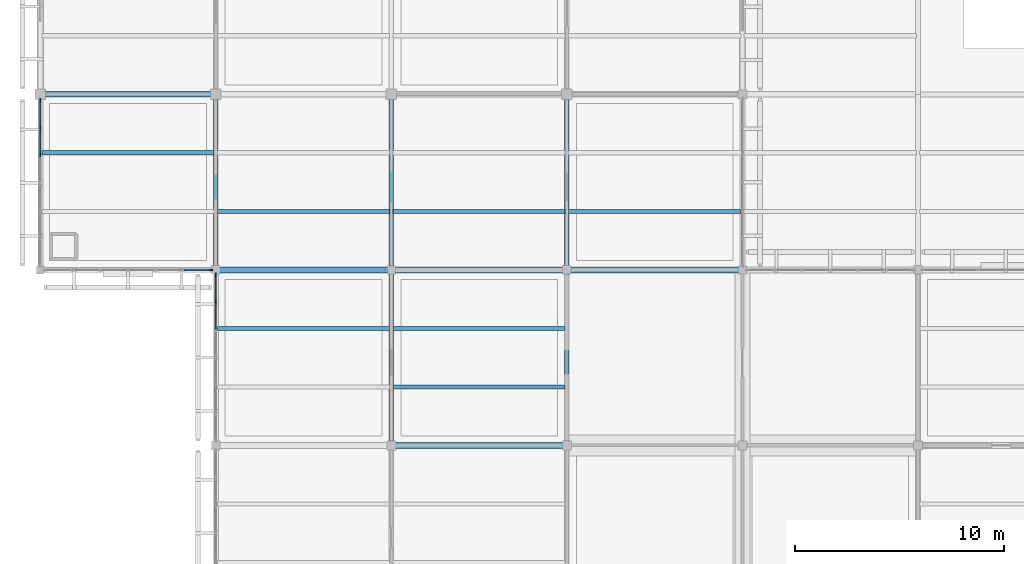
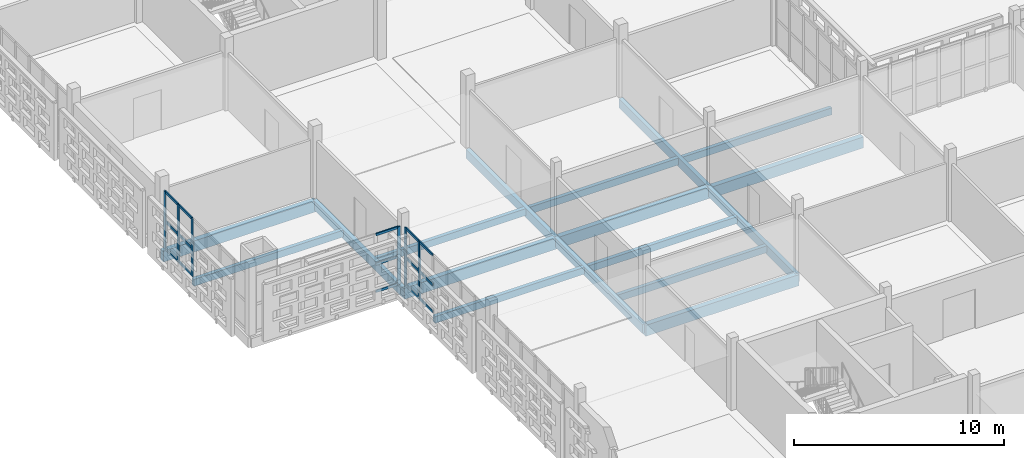
# One storey, part 24 of 166: 21 members, 17 beams, 3 elements without a shape of their own.
"""IFC4 building model written with IfcOpenShell, lengths in metres."""

from ifc_helpers import new_model, si_unit, direction, frame, origin, origin_2d, place, context, subcontext, project, spatial, rectangle, extrude, material, layer, layer_set, material_profile, profile_set, type_object, element, aggregate, save


model = new_model("IFC4")

# Units and contexts
model_context = context("Model", 3, precision=1e-05, world=origin(), true_north=direction((0.0, 1.0)))
body_context = subcontext(model_context, "Body", "Model", "MODEL_VIEW")
ifc_project = project(units=[si_unit("LENGTHUNIT", "METRE"), si_unit("AREAUNIT", "SQUARE_METRE"), si_unit("VOLUMEUNIT", "CUBIC_METRE"), si_unit("PLANEANGLEUNIT", "RADIAN"), si_unit("MASSUNIT", "GRAM", prefix="KILO")], contexts=[model_context])

# Site, building, storey
site_placement = place(None, origin())
site = spatial("IfcSite", under=ifc_project, at=site_placement, CompositionType="ELEMENT")
building_placement = place(site_placement, origin())
building = spatial("IfcBuilding", under=site, at=building_placement, Name="Varnapada Polytechnic", CompositionType="ELEMENT")
storey_placement = place(building_placement, frame((0.0, 0.0, 9.60009765625)))
storey = spatial("IfcBuildingStorey", under=building, at=storey_placement, Name="L02", CompositionType="ELEMENT", Elevation=9.60009765625)

# Beams
ifc_material_1 = material(Name="Glulam GL32h", Category="wood")
ifc_material_profile_1 = material_profile(ifc_material_1, rectangle(XDim=0.280029296875, YDim=0.639892578125, at=origin_2d()), Name="GL 280x640")
ifc_profile_set_1 = profile_set([ifc_material_profile_1], Name="Glulam GL32h")
beam_type_1 = type_object("IfcBeamType", Name="Laboratory primary glulam girder GG-02 (GL 280x640)", PredefinedType="BEAM", material=ifc_profile_set_1)
beam_1_placement = place(storey_placement, frame((0.0, 50.39990234375, -0.56005859375), z_axis=(1.0, 0.0, 0.0), x_axis=(0.0, 1.0, 0.0)))
element("IfcBeam", 1, at=beam_1_placement, inside=storey, type_object=beam_type_1, Name="L02 beam X 1-2 at Y7", PredefinedType="BEAM", context=body_context, shape_type="SweptSolid", body=[
    extrude(rectangle(XDim=0.280029296875, YDim=0.639892578125, at=origin_2d()), origin(), (0.0, 0.0, 1.0), 8.39990234375),
])
beam_2_placement = place(storey_placement, frame((8.39990234375, 42.0, -0.56005859375), z_axis=(1.0, 0.0, 0.0), x_axis=(0.0, 1.0, 0.0)))
element("IfcBeam", 2, at=beam_2_placement, inside=storey, type_object=beam_type_1, Name="L02 beam X 2-3 at Y6", PredefinedType="BEAM", context=body_context, shape_type="SweptSolid", body=[
    extrude(rectangle(XDim=0.280029296875, YDim=0.639892578125, at=origin_2d()), origin(), (0.0, 0.0, 1.0), 8.400146484375),
])
for number, where, z_axis, x_axis, name in (
    (3, (16.800048828125, 33.60009765625, -0.56005859375), (1.0, 0.0, 0.0), (0.0, 1.0, 0.0), "L02 beam X 3-4 at Y5"),
    (4, (16.800048828125, 42.0, -0.56005859375), (1.0, 0.0, 0.0), (0.0, 1.0, 0.0), "L02 beam X 3-4 at Y6"),
):
    element("IfcBeam", number, at=place(storey_placement, frame(where, z_axis=z_axis, x_axis=x_axis)), inside=storey, type_object=beam_type_1, Name=name, PredefinedType="BEAM", context=body_context, shape_type="SweptSolid", body=[
        extrude(rectangle(XDim=0.280029296875, YDim=0.639892578125, at=origin_2d()), origin(), (0.0, 0.0, 1.0), 8.39990234375),
    ])
beam_3_placement = place(storey_placement, frame((25.199951171875, 42.0, -0.590087890625), z_axis=(1.0, 0.0, 0.0), x_axis=(0.0, 1.0, 0.0)))
element("IfcBeam", 5, at=beam_3_placement, inside=storey, type_object=beam_type_1, Name="L02 beam X 4-5 at Y6", PredefinedType="BEAM", context=body_context, shape_type="SweptSolid", body=[
    extrude(rectangle(XDim=0.280029296875, YDim=0.639892578125, at=origin_2d()), origin(), (0.0, 0.0, 1.0), 8.400146484375),
])
ifc_material_profile_2 = material_profile(ifc_material_1, rectangle(XDim=0.219970703125, YDim=0.52001953125, at=origin_2d()), Name="GL 220x520")
ifc_profile_set_2 = profile_set([ifc_material_profile_2], Name="Glulam GL32h")
beam_type_2 = type_object("IfcBeamType", Name="Laboratory transverse glulam beam GB-12 (GL 220x520)", PredefinedType="BEAM", material=ifc_profile_set_2)
for number, where, z_axis, x_axis, name in (
    (6, (8.39990234375, 42.0, -0.5), (0.0, 1.0, 0.0), (-1.0, 0.0, 0.0), "L02 beam Y 6-7 at X2"),
    (7, (16.800048828125, 33.60009765625, -0.5), (0.0, 1.0, 0.0), (-1.0, 0.0, 0.0), "L02 beam Y 5-6 at X3"),
    (8, (16.800048828125, 42.0, -0.5), (0.0, 1.0, 0.0), (-1.0, 0.0, 0.0), "L02 beam Y 6-7 at X3"),
    (9, (25.199951171875, 33.60009765625, -0.5), (0.0, 1.0, 0.0), (-1.0, 0.0, 0.0), "L02 beam Y 5-6 at X4"),
    (10, (25.199951171875, 42.0, -0.5), (0.0, 1.0, 0.0), (-1.0, 0.0, 0.0), "L02 beam Y 6-7 at X4"),
):
    element("IfcBeam", number, at=place(storey_placement, frame(where, z_axis=z_axis, x_axis=x_axis)), inside=storey, type_object=beam_type_2, Name=name, PredefinedType="BEAM", context=body_context, shape_type="SweptSolid", body=[
        extrude(rectangle(XDim=0.219970703125, YDim=0.52001953125, at=origin_2d()), origin(), (0.0, 0.0, 1.0), 8.39990234375),
    ])
ifc_material_profile_3 = material_profile(ifc_material_1, rectangle(XDim=0.199951171875, YDim=0.39990234375, at=origin_2d()), Name="GL 200x400")
ifc_profile_set_3 = profile_set([ifc_material_profile_3], Name="Glulam GL32h")
beam_type_3 = type_object("IfcBeamType", Name="Library/laboratory glulam floor joist GJ-01 (GL 200x400)", PredefinedType="JOIST", material=ifc_profile_set_3)
for number, where, z_axis, x_axis, name in (
    (11, (0.080078125, 47.60009765625, -0.440185546875), (1.0, 0.0, 0.0), (0.0, 1.0, 0.0), "L02 floor joist 1/6.2"),
    (12, (8.47998046875, 39.199951171875, -0.440185546875), (1.0, 0.0, 0.0), (0.0, 1.0, 0.0), "L02 floor joist 2/5.2"),
    (13, (8.47998046875, 44.800048828125, -0.440185546875), (1.0, 0.0, 0.0), (0.0, 1.0, 0.0), "L02 floor joist 2/6.1"),
):
    element("IfcBeam", number, at=place(storey_placement, frame(where, z_axis=z_axis, x_axis=x_axis)), inside=storey, type_object=beam_type_3, Name=name, PredefinedType="JOIST", context=body_context, shape_type="SweptSolid", body=[
        extrude(rectangle(XDim=0.199951171875, YDim=0.39990234375, at=origin_2d()), origin(), (0.0, 0.0, 1.0), 8.239990234375),
    ])
for number, where, z_axis, x_axis, name in (
    (14, (16.8798828125, 36.39990234375, -0.440185546875), (1.0, 0.0, 0.0), (0.0, 1.0, 0.0), "L02 floor joist 3/5.1"),
    (15, (16.8798828125, 39.199951171875, -0.440185546875), (1.0, 0.0, 0.0), (0.0, 1.0, 0.0), "L02 floor joist 3/5.2"),
    (16, (16.8798828125, 44.800048828125, -0.440185546875), (1.0, 0.0, 0.0), (0.0, 1.0, 0.0), "L02 floor joist 3/6.1"),
):
    element("IfcBeam", number, at=place(storey_placement, frame(where, z_axis=z_axis, x_axis=x_axis)), inside=storey, type_object=beam_type_3, Name=name, PredefinedType="JOIST", context=body_context, shape_type="SweptSolid", body=[
        extrude(rectangle(XDim=0.199951171875, YDim=0.39990234375, at=origin_2d()), origin(), (0.0, 0.0, 1.0), 8.240234375),
    ])
beam_4_placement = place(storey_placement, frame((25.280029296875, 44.800048828125, -0.47021484375), z_axis=(1.0, 0.0, 0.0), x_axis=(0.0, 1.0, 0.0)))
element("IfcBeam", 17, at=beam_4_placement, inside=storey, type_object=beam_type_3, Name="L02 floor joist 4/6.1", PredefinedType="JOIST", context=body_context, shape_type="SweptSolid", body=[
    extrude(rectangle(XDim=0.199951171875, YDim=0.39990234375, at=origin_2d()), origin(), (0.0, 0.0, 1.0), 8.239990234375),
])

# Curtain wall, member
ifc_material_2 = material(Name="Double low-E laminated glass", Category="glass")
ifc_layer = layer(ifc_material_2, 0.179931640625)
ifc_layer_set = layer_set([ifc_layer], Name="Double low-E laminated glass")
curtain_wall_type = type_object("IfcCurtainWallType", Name="Curtain Wall CW-03", PredefinedType="NOTDEFINED", material=ifc_layer_set)
curtain_wall_1_placement = place(storey_placement, origin())
curtain_wall_1 = element("IfcCurtainWall", 18, at=curtain_wall_1_placement, inside=storey, type_object=curtain_wall_type, Name="L02 unitised curtain wall CW-03 (128)", PredefinedType="NOTDEFINED")
ifc_material_3 = material(Name="Anodised aluminium", Category="aluminium")
ifc_material_profile_4 = material_profile(ifc_material_3, rectangle(XDim=0.06494140625, YDim=0.179931640625, at=origin_2d()), Name="ALU M65x180")
ifc_profile_set_4 = profile_set([ifc_material_profile_4], Name="Anodised aluminium")
member_type_1 = type_object("IfcMemberType", Name="Mullion M-02", PredefinedType="MULLION", material=ifc_profile_set_4)
member_1_placement = place(storey_placement, frame((8.16748046875, 42.0, 0.0), z_axis=(0.0, 0.0, 1.0), x_axis=(0.0, -1.0, 0.0)))
member_1 = element("IfcMember", 19, at=member_1_placement, type_object=member_type_1, Name="CW-03 mullion 1", PredefinedType="MULLION", context=body_context, shape_type="SweptSolid", body=[
    extrude(rectangle(XDim=0.06494140625, YDim=0.179931640625, at=origin_2d()), origin(), (0.0, 0.0, 1.0), 3.35986328125),
])

# Curtain wall, members
curtain_wall_2_placement = place(storey_placement, origin())
curtain_wall_2 = element("IfcCurtainWall", 20, at=curtain_wall_2_placement, inside=storey, type_object=curtain_wall_type, Name="L02 unitised curtain wall CW-03 (129)", PredefinedType="NOTDEFINED")
member_2_placement = place(storey_placement, frame((0.0, 47.49658203125, 0.0), z_axis=(0.0, 0.0, 1.0), x_axis=(-1.0, 0.0, 0.0)))
member_2 = element("IfcMember", 21, at=member_2_placement, type_object=member_type_1, Name="CW-03 mullion 5", PredefinedType="MULLION", context=body_context, shape_type="SweptSolid", body=[
    extrude(rectangle(XDim=0.06494140625, YDim=0.179931640625, at=origin_2d()), origin(), (0.0, 0.0, 1.0), 3.35986328125),
])
member_3_placement = place(storey_placement, frame((0.0, 48.8232421875, 0.0), z_axis=(0.0, 0.0, 1.0), x_axis=(-1.0, 0.0, 0.0)))
member_3 = element("IfcMember", 22, at=member_3_placement, type_object=member_type_1, Name="CW-03 mullion 6", PredefinedType="MULLION", context=body_context, shape_type="SweptSolid", body=[
    extrude(rectangle(XDim=0.06494140625, YDim=0.179931640625, at=origin_2d()), origin(), (0.0, 0.0, 1.0), 3.35986328125),
])
member_4_placement = place(storey_placement, frame((0.0, 50.117431640625, 0.0), z_axis=(0.0, 0.0, 1.0), x_axis=(-1.0, 0.0, 0.0)))
member_4 = element("IfcMember", 23, at=member_4_placement, type_object=member_type_1, Name="CW-03 mullion 7", PredefinedType="MULLION", context=body_context, shape_type="SweptSolid", body=[
    extrude(rectangle(XDim=0.06494140625, YDim=0.179931640625, at=origin_2d()), origin(), (0.0, 0.0, 1.0), 3.35986328125),
])

curtain_wall_3_placement = place(storey_placement, origin())
curtain_wall_3 = element("IfcCurtainWall", 24, at=curtain_wall_3_placement, inside=storey, type_object=curtain_wall_type, Name="L02 unitised curtain wall CW-03 (140)", PredefinedType="NOTDEFINED")
member_5_placement = place(storey_placement, frame((8.39990234375, 40.46826171875, 0.0), z_axis=(0.0, 0.0, 1.0), x_axis=(-1.0, 0.0, 0.0)))
member_5 = element("IfcMember", 25, at=member_5_placement, type_object=member_type_1, Name="CW-03 mullion 6", PredefinedType="MULLION", context=body_context, shape_type="SweptSolid", body=[
    extrude(rectangle(XDim=0.06494140625, YDim=0.179931640625, at=origin_2d()), origin(), (0.0, 0.0, 1.0), 3.35986328125),
])
member_6_placement = place(storey_placement, frame((8.39990234375, 41.767578125, 0.0), z_axis=(0.0, 0.0, 1.0), x_axis=(-1.0, 0.0, 0.0)))
member_6 = element("IfcMember", 26, at=member_6_placement, type_object=member_type_1, Name="CW-03 mullion 7", PredefinedType="MULLION", context=body_context, shape_type="SweptSolid", body=[
    extrude(rectangle(XDim=0.06494140625, YDim=0.179931640625, at=origin_2d()), origin(), (0.0, 0.0, 1.0), 3.35986328125),
])

# Member
ifc_material_profile_5 = material_profile(ifc_material_3, rectangle(XDim=0.06494140625, YDim=0.139892578125, at=origin_2d()), Name="ALU T65x140")
ifc_profile_set_5 = profile_set([ifc_material_profile_5], Name="Anodised aluminium")
member_type_2 = type_object("IfcMemberType", Name="Transom T-02", PredefinedType="USERDEFINED", material=ifc_profile_set_5)
member_7_placement = place(storey_placement, frame((8.135009765625, 42.0, 0.032470703125), z_axis=(-1.0, 0.0, 0.0), x_axis=(0.0, -1.0, 0.0)))
member_7 = element("IfcMember", 27, at=member_7_placement, type_object=member_type_2, Name="CW-03 transom 1.1", ObjectType="TRANSOM", PredefinedType="USERDEFINED", context=body_context, shape_type="SweptSolid", body=[
    extrude(rectangle(XDim=0.06494140625, YDim=0.139892578125, at=origin_2d()), origin(), (0.0, 0.0, 1.0), 1.237548828125),
])

member_8_placement = place(storey_placement, frame((8.135009765625, 42.0, 1.61279296875), z_axis=(-1.0, 0.0, 0.0), x_axis=(0.0, -1.0, 0.0)))
member_8 = element("IfcMember", 28, at=member_8_placement, type_object=member_type_2, Name="CW-03 transom 1.2", ObjectType="TRANSOM", PredefinedType="USERDEFINED", context=body_context, shape_type="SweptSolid", body=[
    extrude(rectangle(XDim=0.06494140625, YDim=0.139892578125, at=origin_2d()), origin(), (0.0, 0.0, 1.0), 1.237548828125),
])

member_9_placement = place(storey_placement, frame((8.135009765625, 42.0, 3.327392578125), z_axis=(-1.0, 0.0, 0.0), x_axis=(0.0, -1.0, 0.0)))
member_9 = element("IfcMember", 29, at=member_9_placement, type_object=member_type_2, Name="CW-03 transom 1.3", ObjectType="TRANSOM", PredefinedType="USERDEFINED", context=body_context, shape_type="SweptSolid", body=[
    extrude(rectangle(XDim=0.06494140625, YDim=0.139892578125, at=origin_2d()), origin(), (0.0, 0.0, 1.0), 1.237548828125),
])

aggregate(curtain_wall_1, [member_1, member_7, member_8, member_9])

member_10_placement = place(storey_placement, frame((0.0, 47.529052734375, 0.032470703125), z_axis=(0.0, 1.0, 0.0), x_axis=(-1.0, 0.0, 0.0)))
member_10 = element("IfcMember", 30, at=member_10_placement, type_object=member_type_2, Name="CW-03 transom 5.1", ObjectType="TRANSOM", PredefinedType="USERDEFINED", context=body_context, shape_type="SweptSolid", body=[
    extrude(rectangle(XDim=0.06494140625, YDim=0.139892578125, at=origin_2d()), origin(), (0.0, 0.0, 1.0), 1.26171875),
])

member_11_placement = place(storey_placement, frame((0.0, 47.529052734375, 1.61279296875), z_axis=(0.0, 1.0, 0.0), x_axis=(-1.0, 0.0, 0.0)))
member_11 = element("IfcMember", 31, at=member_11_placement, type_object=member_type_2, Name="CW-03 transom 5.2", ObjectType="TRANSOM", PredefinedType="USERDEFINED", context=body_context, shape_type="SweptSolid", body=[
    extrude(rectangle(XDim=0.06494140625, YDim=0.139892578125, at=origin_2d()), origin(), (0.0, 0.0, 1.0), 1.26171875),
])

member_12_placement = place(storey_placement, frame((0.0, 47.529052734375, 3.327392578125), z_axis=(0.0, 1.0, 0.0), x_axis=(-1.0, 0.0, 0.0)))
member_12 = element("IfcMember", 32, at=member_12_placement, type_object=member_type_2, Name="CW-03 transom 5.3", ObjectType="TRANSOM", PredefinedType="USERDEFINED", context=body_context, shape_type="SweptSolid", body=[
    extrude(rectangle(XDim=0.06494140625, YDim=0.139892578125, at=origin_2d()), origin(), (0.0, 0.0, 1.0), 1.26171875),
])

member_13_placement = place(storey_placement, frame((0.0, 48.855712890625, 0.032470703125), z_axis=(0.0, 1.0, 0.0), x_axis=(-1.0, 0.0, 0.0)))
member_13 = element("IfcMember", 33, at=member_13_placement, type_object=member_type_2, Name="CW-03 transom 6.1", ObjectType="TRANSOM", PredefinedType="USERDEFINED", context=body_context, shape_type="SweptSolid", body=[
    extrude(rectangle(XDim=0.06494140625, YDim=0.139892578125, at=origin_2d()), origin(), (0.0, 0.0, 1.0), 1.229248046875),
])

member_14_placement = place(storey_placement, frame((0.0, 48.855712890625, 1.61279296875), z_axis=(0.0, 1.0, 0.0), x_axis=(-1.0, 0.0, 0.0)))
member_14 = element("IfcMember", 34, at=member_14_placement, type_object=member_type_2, Name="CW-03 transom 6.2", ObjectType="TRANSOM", PredefinedType="USERDEFINED", context=body_context, shape_type="SweptSolid", body=[
    extrude(rectangle(XDim=0.06494140625, YDim=0.139892578125, at=origin_2d()), origin(), (0.0, 0.0, 1.0), 1.229248046875),
])

member_15_placement = place(storey_placement, frame((0.0, 48.855712890625, 3.327392578125), z_axis=(0.0, 1.0, 0.0), x_axis=(-1.0, 0.0, 0.0)))
member_15 = element("IfcMember", 35, at=member_15_placement, type_object=member_type_2, Name="CW-03 transom 6.3", ObjectType="TRANSOM", PredefinedType="USERDEFINED", context=body_context, shape_type="SweptSolid", body=[
    extrude(rectangle(XDim=0.06494140625, YDim=0.139892578125, at=origin_2d()), origin(), (0.0, 0.0, 1.0), 1.229248046875),
])

aggregate(curtain_wall_2, [member_2, member_3, member_4, member_10, member_11, member_12, member_13, member_14, member_15])

member_16_placement = place(storey_placement, frame((8.39990234375, 39.169189453125, 0.032470703125), z_axis=(0.0, 1.0, 0.0), x_axis=(-1.0, 0.0, 0.0)))
member_16 = element("IfcMember", 36, at=member_16_placement, type_object=member_type_2, Name="CW-03 transom 5.1", ObjectType="TRANSOM", PredefinedType="USERDEFINED", context=body_context, shape_type="SweptSolid", body=[
    extrude(rectangle(XDim=0.06494140625, YDim=0.139892578125, at=origin_2d()), origin(), (0.0, 0.0, 1.0), 1.2666015625),
])

member_17_placement = place(storey_placement, frame((8.39990234375, 39.169189453125, 1.61279296875), z_axis=(0.0, 1.0, 0.0), x_axis=(-1.0, 0.0, 0.0)))
member_17 = element("IfcMember", 37, at=member_17_placement, type_object=member_type_2, Name="CW-03 transom 5.2", ObjectType="TRANSOM", PredefinedType="USERDEFINED", context=body_context, shape_type="SweptSolid", body=[
    extrude(rectangle(XDim=0.06494140625, YDim=0.139892578125, at=origin_2d()), origin(), (0.0, 0.0, 1.0), 1.2666015625),
])

member_18_placement = place(storey_placement, frame((8.39990234375, 39.169189453125, 3.327392578125), z_axis=(0.0, 1.0, 0.0), x_axis=(-1.0, 0.0, 0.0)))
member_18 = element("IfcMember", 38, at=member_18_placement, type_object=member_type_2, Name="CW-03 transom 5.3", ObjectType="TRANSOM", PredefinedType="USERDEFINED", context=body_context, shape_type="SweptSolid", body=[
    extrude(rectangle(XDim=0.06494140625, YDim=0.139892578125, at=origin_2d()), origin(), (0.0, 0.0, 1.0), 1.2666015625),
])

member_19_placement = place(storey_placement, frame((8.39990234375, 40.500732421875, 0.032470703125), z_axis=(0.0, 1.0, 0.0), x_axis=(-1.0, 0.0, 0.0)))
member_19 = element("IfcMember", 39, at=member_19_placement, type_object=member_type_2, Name="CW-03 transom 6.1", ObjectType="TRANSOM", PredefinedType="USERDEFINED", context=body_context, shape_type="SweptSolid", body=[
    extrude(rectangle(XDim=0.06494140625, YDim=0.139892578125, at=origin_2d()), origin(), (0.0, 0.0, 1.0), 1.234375),
])

member_20_placement = place(storey_placement, frame((8.39990234375, 40.500732421875, 1.61279296875), z_axis=(0.0, 1.0, 0.0), x_axis=(-1.0, 0.0, 0.0)))
member_20 = element("IfcMember", 40, at=member_20_placement, type_object=member_type_2, Name="CW-03 transom 6.2", ObjectType="TRANSOM", PredefinedType="USERDEFINED", context=body_context, shape_type="SweptSolid", body=[
    extrude(rectangle(XDim=0.06494140625, YDim=0.139892578125, at=origin_2d()), origin(), (0.0, 0.0, 1.0), 1.234375),
])

member_21_placement = place(storey_placement, frame((8.39990234375, 40.500732421875, 3.327392578125), z_axis=(0.0, 1.0, 0.0), x_axis=(-1.0, 0.0, 0.0)))
member_21 = element("IfcMember", 41, at=member_21_placement, type_object=member_type_2, Name="CW-03 transom 6.3", ObjectType="TRANSOM", PredefinedType="USERDEFINED", context=body_context, shape_type="SweptSolid", body=[
    extrude(rectangle(XDim=0.06494140625, YDim=0.139892578125, at=origin_2d()), origin(), (0.0, 0.0, 1.0), 1.234375),
])

aggregate(curtain_wall_3, [member_5, member_6, member_16, member_17, member_18, member_19, member_20, member_21])

save(model, "model.ifc")
